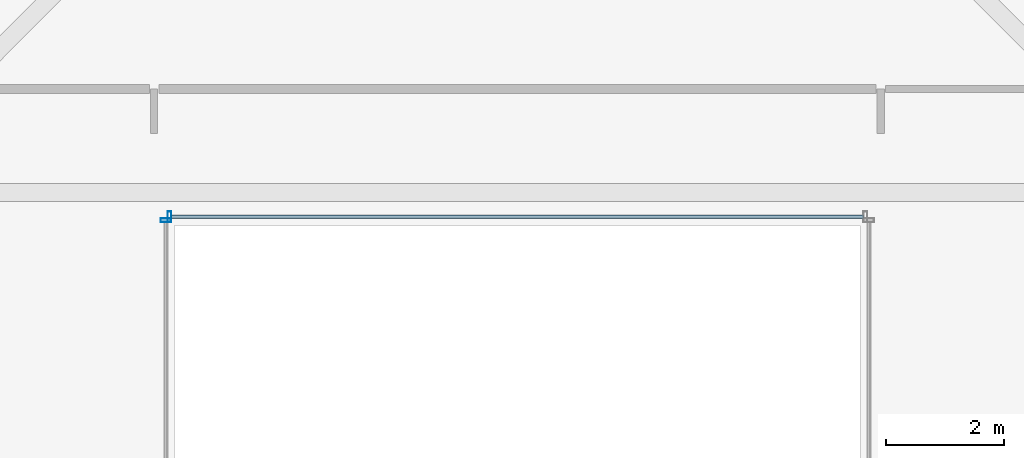
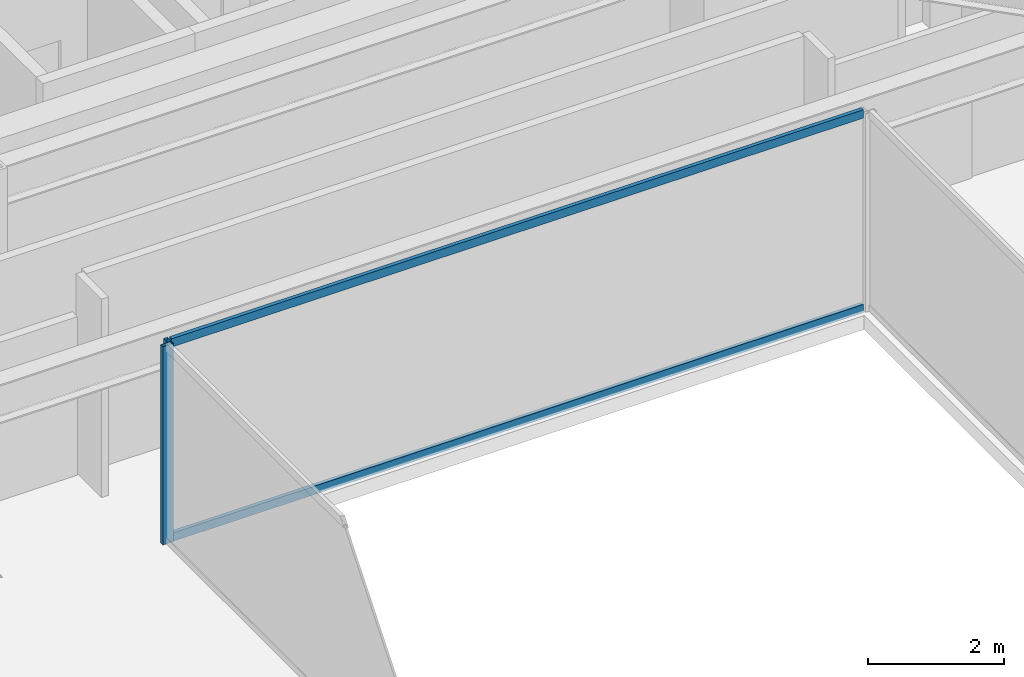
# One storey, part 11 of 36: 4 members, 2 elements without a shape of their own.
"""IFC4 building model written with IfcOpenShell, lengths in metres."""

from ifc_helpers import new_model, si_unit, direction, frame, origin, origin_2d, place, context, subcontext, project, spatial, hollow_rectangle, extrude, material, material_profile, profile_set, type_object, element, aggregate, save


model = new_model("IFC4")

# Units and contexts
model_context = context("Model", 3, precision=1e-05, world=origin(), true_north=direction((0.0, 1.0)))
body_context = subcontext(model_context, "Body", "Model", "MODEL_VIEW")
ifc_project = project(units=[si_unit("LENGTHUNIT", "METRE"), si_unit("AREAUNIT", "SQUARE_METRE"), si_unit("VOLUMEUNIT", "CUBIC_METRE"), si_unit("PLANEANGLEUNIT", "RADIAN"), si_unit("MASSUNIT", "GRAM", prefix="KILO")], contexts=[model_context])

# Site, building, storey
site_placement = place(None, origin())
site = spatial("IfcSite", under=ifc_project, at=site_placement, CompositionType="ELEMENT")
building_placement = place(site_placement, origin())
building = spatial("IfcBuilding", under=site, at=building_placement, Name="Saevonmaru Cultural Tower", CompositionType="ELEMENT")
storey_placement = place(building_placement, frame((0.0, 0.0, 156.199951171875)))
storey = spatial("IfcBuildingStorey", under=building, at=storey_placement, Name="L34", CompositionType="ELEMENT", Elevation=156.199951171875)

# Curtain wall, member
ifc_material = material(Name="Satin Bronze Anodised Aluminium", Category="aluminium")
curtain_wall_type = type_object("IfcCurtainWallType", Name="CW-ATR-GLZ", PredefinedType="NOTDEFINED", material=ifc_material)
curtain_wall_1_placement = place(storey_placement, origin())
curtain_wall_1 = element("IfcCurtainWall", 1, at=curtain_wall_1_placement, inside=storey, type_object=curtain_wall_type, Name="L34 Vertical Atrium Glazed Smoke Screen 3", PredefinedType="NOTDEFINED")
ifc_material_profile_1 = material_profile(ifc_material, hollow_rectangle(XDim=0.06494140625, YDim=0.179931640625, WallThickness=0.00390625, at=origin_2d()), Name="ALU-MULL-180x65x4")
ifc_profile_set_1 = profile_set([ifc_material_profile_1], Name="Satin Bronze Anodised Aluminium")
member_type_1 = type_object("IfcMemberType", Name="ML-CW-INT-180x65", PredefinedType="MULLION", material=ifc_profile_set_1)
member_1_placement = place(storey_placement, frame((24.110107421875, 37.18994140625, 0.0), z_axis=(0.0, 0.0, 1.0), x_axis=(-1.0, 0.0, 0.0)))
member_1 = element("IfcMember", 2, at=member_1_placement, type_object=member_type_1, Name="CW-ATR-L34-3 mullion 2", PredefinedType="MULLION", context=body_context, shape_type="SweptSolid", body=[
    extrude(hollow_rectangle(XDim=0.06494140625, YDim=0.179931640625, WallThickness=0.00390625, at=origin_2d()), origin(), (0.0, 0.0, 1.0), 3.550048828125),
])

curtain_wall_2_placement = place(storey_placement, origin())
curtain_wall_2 = element("IfcCurtainWall", 3, at=curtain_wall_2_placement, inside=storey, type_object=curtain_wall_type, Name="L34 Vertical Atrium Glazed Smoke Screen 4", PredefinedType="NOTDEFINED")
member_2_placement = place(storey_placement, frame((24.050048828125, 37.1298828125, 0.0), z_axis=(0.0, 0.0, 1.0), x_axis=(0.0, -1.0, 0.0)))
member_2 = element("IfcMember", 4, at=member_2_placement, type_object=member_type_1, Name="CW-ATR-L34-4 mullion 1", PredefinedType="MULLION", context=body_context, shape_type="SweptSolid", body=[
    extrude(hollow_rectangle(XDim=0.06494140625, YDim=0.179931640625, WallThickness=0.00390625, at=origin_2d()), origin(), (0.0, 0.0, 1.0), 3.550048828125),
])
aggregate(curtain_wall_2, [member_2])

# Member
ifc_material_profile_2 = material_profile(ifc_material, hollow_rectangle(XDim=0.06494140625, YDim=0.14990234375, WallThickness=0.00390625, at=origin_2d()), Name="ALU-TRAN-150x65x4")
ifc_profile_set_2 = profile_set([ifc_material_profile_2], Name="Satin Bronze Anodised Aluminium")
member_type_2 = type_object("IfcMemberType", Name="TR-CW-INT-150x65", PredefinedType="USERDEFINED", material=ifc_profile_set_2)
member_3_placement = place(storey_placement, frame((35.857421875, 37.18994140625, 0.032470703125), z_axis=(-1.0, 0.0, 0.0), x_axis=(0.0, -1.0, 0.0)))
member_3 = element("IfcMember", 5, at=member_3_placement, type_object=member_type_2, Name="CW-ATR-L34-3 transom 1.1", ObjectType="TRANSOM", PredefinedType="USERDEFINED", context=body_context, shape_type="SweptSolid", body=[
    extrude(hollow_rectangle(XDim=0.06494140625, YDim=0.14990234375, WallThickness=0.00390625, at=origin_2d()), origin(), (0.0, 0.0, 1.0), 11.71484375),
])

member_4_placement = place(storey_placement, frame((35.857421875, 37.18994140625, 3.517578125), z_axis=(-1.0, 0.0, 0.0), x_axis=(0.0, -1.0, 0.0)))
member_4 = element("IfcMember", 6, at=member_4_placement, type_object=member_type_2, Name="CW-ATR-L34-3 transom 1.2", ObjectType="TRANSOM", PredefinedType="USERDEFINED", context=body_context, shape_type="SweptSolid", body=[
    extrude(hollow_rectangle(XDim=0.06494140625, YDim=0.14990234375, WallThickness=0.00390625, at=origin_2d()), origin(), (0.0, 0.0, 1.0), 11.71484375),
])

aggregate(curtain_wall_1, [member_1, member_3, member_4])

save(model, "model.ifc")
